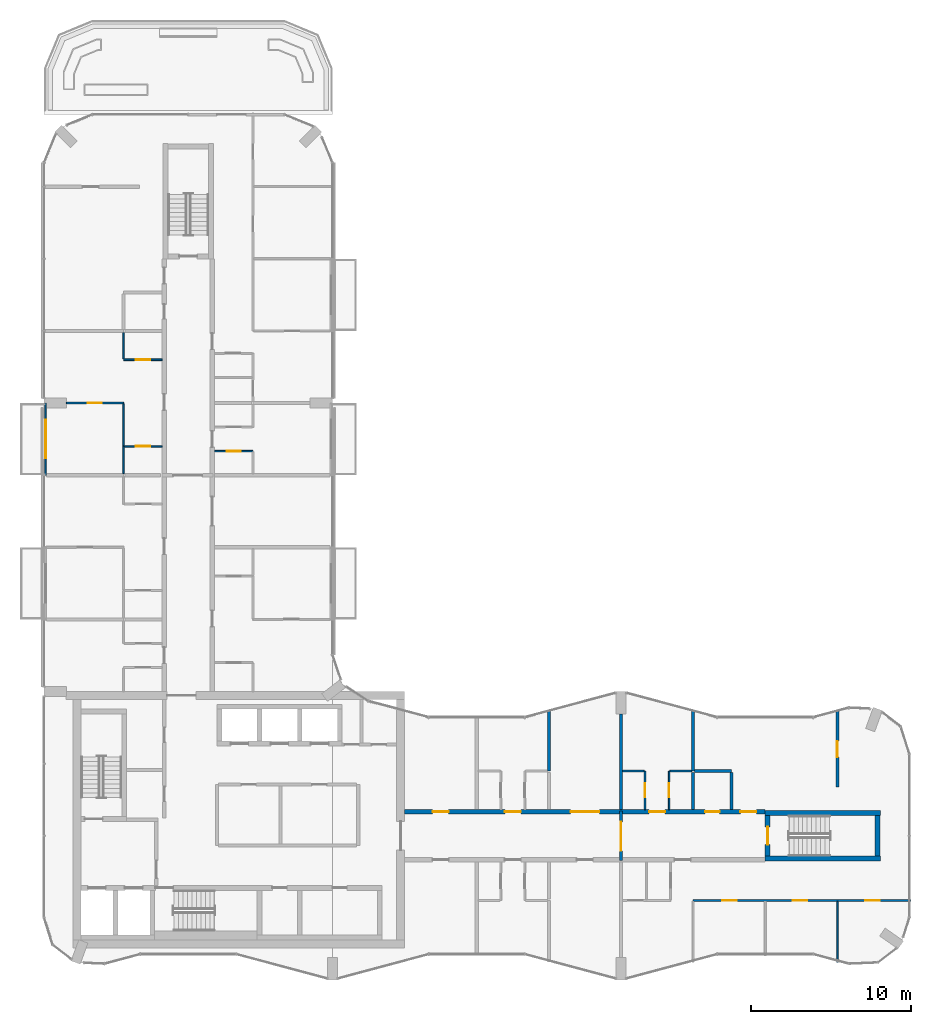
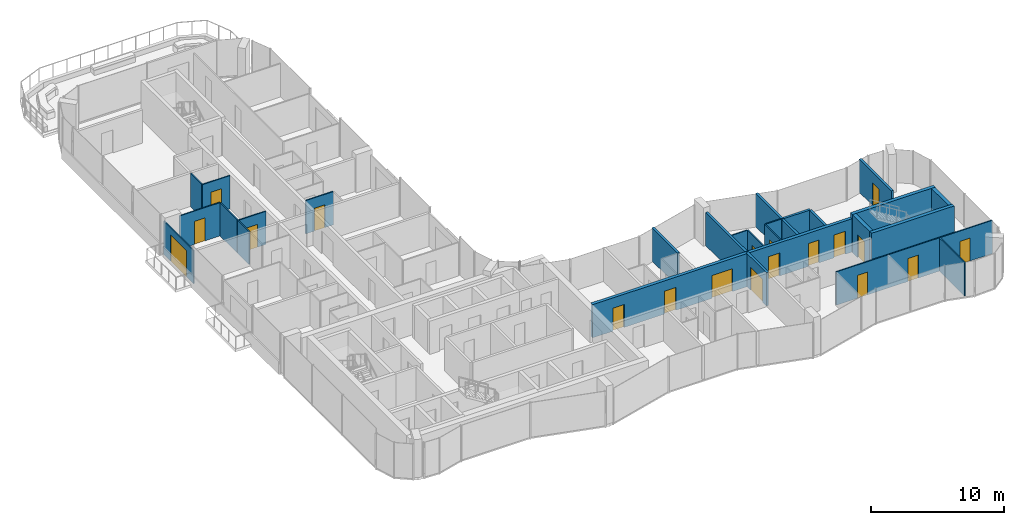
# One storey, part 12 of 17: 27 walls, 19 doors, 19 openings.
"""IFC4 building model written with IfcOpenShell, lengths in metres."""

from ifc_helpers import new_model, si_unit, direction, frame, frame_2d, origin, place, context, subcontext, project, spatial, rectangle, extrude, material, layer, layer_set, type_object, element, fill, save


model = new_model("IFC4")

# Units and contexts
model_context = context("Model", 3, precision=1e-05, world=origin(), true_north=direction((0.0, 1.0)))
body_context = subcontext(model_context, "Body", "Model", "MODEL_VIEW")
ifc_project = project(units=[si_unit("LENGTHUNIT", "METRE"), si_unit("AREAUNIT", "SQUARE_METRE"), si_unit("VOLUMEUNIT", "CUBIC_METRE"), si_unit("PLANEANGLEUNIT", "RADIAN"), si_unit("MASSUNIT", "GRAM", prefix="KILO")], contexts=[model_context])

# Site, building, storey
site_placement = place(None, origin())
site = spatial("IfcSite", under=ifc_project, at=site_placement, CompositionType="ELEMENT")
building_placement = place(site_placement, origin())
building = spatial("IfcBuilding", under=site, at=building_placement, Name="Plateau Cross Towers", CompositionType="ELEMENT")
storey_placement = place(building_placement, frame((0.0, 0.0, 225.89990234375)))
storey = spatial("IfcBuildingStorey", under=building, at=storey_placement, Name="L59", CompositionType="ELEMENT", Elevation=225.89990234375)

# Wall, opening, door
ifc_material_1 = material(Name="Aluminium framed glazing", Category="aluminium")
ifc_layer_1 = layer(ifc_material_1, 0.10009765625)
ifc_layer_set_1 = layer_set([ifc_layer_1], Name="Aluminium framed glazing")
wall_type_1 = type_object("IfcWallType", Name="Balcony screen wall 100", PredefinedType="STANDARD", material=ifc_layer_set_1)
wall_1_placement = place(storey_placement, frame((0.10009765625, 31.5, 0.0), z_axis=(0.0, 0.0, 1.0), x_axis=(0.0, 1.0, 0.0)))
wall_1 = element("IfcWall", 1, at=wall_1_placement, inside=storey, type_object=wall_type_1, Name="Balcony screen wall A-BAL-L59-02", PredefinedType="STANDARD", context=body_context, shape_type="SweptSolid", body=[
    extrude(rectangle(XDim=4.5, YDim=0.10009765625, at=frame_2d((2.25, 0.0))), origin(), (0.0, 0.0, 1.0), 3.050048828125),
])
opening_1_placement = place(wall_1_placement, frame((1.050048828125, 0.0, 0.0)))
opening_1 = element("IfcOpeningElement", 2, at=opening_1_placement, cuts=wall_1, Name="Opening D-B24", PredefinedType="OPENING", context=body_context, shape_type="SweptSolid", body=[
    extrude(rectangle(XDim=2.39990234375, YDim=2.39990234375, at=frame_2d((1.199951171875, 1.199951171875))), frame((0.0, 0.06005859375, 0.0), z_axis=(0.0, -1.0, 0.0), x_axis=(1.0, 0.0, 0.0)), (0.0, 0.0, 1.0), 0.1201171875),
])
ifc_material_2 = material(Name="Aluminium frame, double glazing", Category="aluminium")
door_type_1 = type_object("IfcDoorType", Name="Balcony sliding door 2400", OperationType="NOTDEFINED", PredefinedType="DOOR", material=ifc_material_2)
door_1_placement = place(opening_1_placement, origin())
door_1 = element("IfcDoor", 3, at=door_1_placement, inside=storey, type_object=door_type_1, Name="Balcony door A-BAL-L59-02", OperationType="SINGLE_SWING_LEFT", OverallHeight=2.39990234375, OverallWidth=2.39990234375, PredefinedType="DOOR", context=body_context, shape_type="SweptSolid", body=[
    extrude(rectangle(XDim=2.39990234375, YDim=2.39990234375, at=frame_2d((1.199951171875, 1.199951171875))), frame((0.0, 0.02490234375, 0.0), z_axis=(0.0, -1.0, 0.0), x_axis=(1.0, 0.0, 0.0)), (0.0, 0.0, 1.0), 0.050048828125),
])
fill(opening_1, door_1)

# Wall, openings, doors
ifc_material_3 = material(Name="Concrete C60/75", Category="concrete")
ifc_layer_2 = layer(ifc_material_3, 0.27490234375)
ifc_layer_set_2 = layer_set([ifc_layer_2], Name="Concrete C60/75")
wall_type_2 = type_object("IfcWallType", Name="Corridor wall 275", PredefinedType="SHEAR", material=ifc_layer_set_2)
wall_2_placement = place(storey_placement, frame((22.5, 10.5, 0.0), z_axis=(0.0, 0.0, 1.0), x_axis=(1.0, 0.0, 0.0)))
wall_2 = element("IfcWall", 4, at=wall_2_placement, inside=storey, type_object=wall_type_2, Name="A-cw-S2@L59", PredefinedType="SHEAR", context=body_context, shape_type="SweptSolid", body=[
    extrude(rectangle(XDim=22.5, YDim=0.27490234375, at=frame_2d((11.25, 0.0))), origin(), (0.0, 0.0, 1.0), 3.050048828125),
])
opening_2_placement = place(wall_2_placement, frame((1.75, 0.0, 0.0)))
opening_2 = element("IfcOpeningElement", 5, at=opening_2_placement, cuts=wall_2, Name="Opening 59-05", PredefinedType="OPENING", context=body_context, shape_type="SweptSolid", body=[
    extrude(rectangle(XDim=1.0, YDim=2.10009765625, at=frame_2d((0.5, 1.050048828125))), frame((0.0, 0.1474609375, 0.0), z_axis=(0.0, -1.0, 0.0), x_axis=(1.0, 0.0, 0.0)), (0.0, 0.0, 1.0), 0.294921875),
])
opening_3_placement = place(wall_2_placement, frame((6.25, 0.0, 0.0)))
opening_3 = element("IfcOpeningElement", 6, at=opening_3_placement, cuts=wall_2, Name="Opening 59-06", PredefinedType="OPENING", context=body_context, shape_type="SweptSolid", body=[
    extrude(rectangle(XDim=1.0, YDim=2.10009765625, at=frame_2d((0.5, 1.050048828125))), frame((0.0, 0.1474609375, 0.0), z_axis=(0.0, -1.0, 0.0), x_axis=(1.0, 0.0, 0.0)), (0.0, 0.0, 1.0), 0.294921875),
])
opening_4_placement = place(wall_2_placement, frame((10.35009765625, 0.0, 0.0)))
opening_4 = element("IfcOpeningElement", 7, at=opening_4_placement, cuts=wall_2, Name="Opening 59-07", PredefinedType="OPENING", context=body_context, shape_type="SweptSolid", body=[
    extrude(rectangle(XDim=1.800048828125, YDim=2.10009765625, at=frame_2d((0.89990234375, 1.050048828125))), frame((0.0, 0.1474609375, 0.0), z_axis=(0.0, -1.0, 0.0), x_axis=(1.0, 0.0, 0.0)), (0.0, 0.0, 1.0), 0.294921875),
])
opening_5_placement = place(wall_2_placement, frame((15.25, 0.0, 0.0)))
opening_5 = element("IfcOpeningElement", 8, at=opening_5_placement, cuts=wall_2, Name="Opening 59-08", PredefinedType="OPENING", context=body_context, shape_type="SweptSolid", body=[
    extrude(rectangle(XDim=1.0, YDim=2.10009765625, at=frame_2d((0.5, 1.050048828125))), frame((0.0, 0.1474609375, 0.0), z_axis=(0.0, -1.0, 0.0), x_axis=(1.0, 0.0, 0.0)), (0.0, 0.0, 1.0), 0.294921875),
])
opening_6_placement = place(wall_2_placement, frame((18.75, 0.0, 0.0)))
opening_6 = element("IfcOpeningElement", 9, at=opening_6_placement, cuts=wall_2, Name="Opening 59-09", PredefinedType="OPENING", context=body_context, shape_type="SweptSolid", body=[
    extrude(rectangle(XDim=0.89990234375, YDim=2.10009765625, at=frame_2d((0.449951171875, 1.050048828125))), frame((0.0, 0.1474609375, 0.0), z_axis=(0.0, -1.0, 0.0), x_axis=(1.0, 0.0, 0.0)), (0.0, 0.0, 1.0), 0.294921875),
])
opening_7_placement = place(wall_2_placement, frame((20.949951171875, 0.0, 0.0)))
opening_7 = element("IfcOpeningElement", 10, at=opening_7_placement, cuts=wall_2, Name="Opening 59-10", PredefinedType="OPENING", context=body_context, shape_type="SweptSolid", body=[
    extrude(rectangle(XDim=1.0, YDim=2.10009765625, at=frame_2d((0.5, 1.050048828125))), frame((0.0, 0.1474609375, 0.0), z_axis=(0.0, -1.0, 0.0), x_axis=(1.0, 0.0, 0.0)), (0.0, 0.0, 1.0), 0.294921875),
])
ifc_material_4 = material(Name="Timber, fire-resisting leaf", Category="wood")
door_type_2 = type_object("IfcDoorType", Name="Flat entrance door 1000", OperationType="NOTDEFINED", PredefinedType="DOOR", material=ifc_material_4)
door_2_placement = place(opening_2_placement, origin())
door_2 = element("IfcDoor", 11, at=door_2_placement, inside=storey, type_object=door_type_2, Name="Door 59-05", OperationType="SINGLE_SWING_LEFT", OverallHeight=2.10009765625, OverallWidth=1.0, PredefinedType="DOOR", context=body_context, shape_type="SweptSolid", body=[
    extrude(rectangle(XDim=1.0, YDim=2.10009765625, at=frame_2d((0.5, 1.050048828125))), frame((0.0, 0.02490234375, 0.0), z_axis=(0.0, -1.0, 0.0), x_axis=(1.0, 0.0, 0.0)), (0.0, 0.0, 1.0), 0.050048828125),
])
fill(opening_2, door_2)
door_3_placement = place(opening_3_placement, origin())
door_3 = element("IfcDoor", 12, at=door_3_placement, inside=storey, type_object=door_type_2, Name="Door 59-06", OperationType="SINGLE_SWING_LEFT", OverallHeight=2.10009765625, OverallWidth=1.0, PredefinedType="DOOR", context=body_context, shape_type="SweptSolid", body=[
    extrude(rectangle(XDim=1.0, YDim=2.10009765625, at=frame_2d((0.5, 1.050048828125))), frame((0.0, 0.02490234375, 0.0), z_axis=(0.0, -1.0, 0.0), x_axis=(1.0, 0.0, 0.0)), (0.0, 0.0, 1.0), 0.050048828125),
])
fill(opening_3, door_3)
door_4_placement = place(opening_5_placement, origin())
door_4 = element("IfcDoor", 13, at=door_4_placement, inside=storey, type_object=door_type_2, Name="Door 59-08", OperationType="SINGLE_SWING_RIGHT", OverallHeight=2.10009765625, OverallWidth=1.0, PredefinedType="DOOR", context=body_context, shape_type="SweptSolid", body=[
    extrude(rectangle(XDim=1.0, YDim=2.10009765625, at=frame_2d((0.5, 1.050048828125))), frame((0.0, 0.02490234375, 0.0), z_axis=(0.0, -1.0, 0.0), x_axis=(1.0, 0.0, 0.0)), (0.0, 0.0, 1.0), 0.050048828125),
])
fill(opening_5, door_4)
door_5_placement = place(opening_7_placement, origin())
door_5 = element("IfcDoor", 14, at=door_5_placement, inside=storey, type_object=door_type_2, Name="Door 59-10", OperationType="SINGLE_SWING_RIGHT", OverallHeight=2.10009765625, OverallWidth=1.0, PredefinedType="DOOR", context=body_context, shape_type="SweptSolid", body=[
    extrude(rectangle(XDim=1.0, YDim=2.10009765625, at=frame_2d((0.5, 1.050048828125))), frame((0.0, 0.02490234375, 0.0), z_axis=(0.0, -1.0, 0.0), x_axis=(1.0, 0.0, 0.0)), (0.0, 0.0, 1.0), 0.050048828125),
])
fill(opening_7, door_5)
ifc_material_5 = material(Name="Timber, fire-resisting leaves", Category="wood")
door_type_3 = type_object("IfcDoorType", Name="Flat floor fire door pair 1800", OperationType="NOTDEFINED", PredefinedType="DOOR", material=ifc_material_5)
door_6_placement = place(opening_4_placement, origin())
door_6 = element("IfcDoor", 15, at=door_6_placement, inside=storey, type_object=door_type_3, Name="Door 59-07", OperationType="SINGLE_SWING_LEFT", OverallHeight=2.10009765625, OverallWidth=1.800048828125, PredefinedType="DOOR", context=body_context, shape_type="SweptSolid", body=[
    extrude(rectangle(XDim=1.800048828125, YDim=2.10009765625, at=frame_2d((0.89990234375, 1.050048828125))), frame((0.0, 0.02490234375, 0.0), z_axis=(0.0, -1.0, 0.0), x_axis=(1.0, 0.0, 0.0)), (0.0, 0.0, 1.0), 0.050048828125),
])
fill(opening_4, door_6)
door_type_4 = type_object("IfcDoorType", Name="Flat floor service door 900", OperationType="NOTDEFINED", PredefinedType="DOOR", material=ifc_material_4)
door_7_placement = place(opening_6_placement, origin())
door_7 = element("IfcDoor", 16, at=door_7_placement, inside=storey, type_object=door_type_4, Name="Door 59-09", OperationType="SINGLE_SWING_RIGHT", OverallHeight=2.10009765625, OverallWidth=0.89990234375, PredefinedType="DOOR", context=body_context, shape_type="SweptSolid", body=[
    extrude(rectangle(XDim=0.89990234375, YDim=2.10009765625, at=frame_2d((0.449951171875, 1.050048828125))), frame((0.0, 0.02490234375, 0.0), z_axis=(0.0, -1.0, 0.0), x_axis=(1.0, 0.0, 0.0)), (0.0, 0.0, 1.0), 0.050048828125),
])
fill(opening_6, door_7)

ifc_material_6 = material(Name="Gypsum board on steel studs", Category="steel")
ifc_layer_3 = layer(ifc_material_6, 0.10009765625)
ifc_layer_set_3 = layer_set([ifc_layer_3], Name="Gypsum board on steel studs")
wall_type_3 = type_object("IfcWallType", Name="Flat partition 100", PredefinedType="PARTITIONING", material=ifc_layer_set_3)
wall_3_placement = place(storey_placement, frame((54.080078125, 4.96240234375, 0.0), z_axis=(0.0, 0.0, 1.0), x_axis=(-1.0, 0.0, 0.0)))
wall_3 = element("IfcWall", 17, at=wall_3_placement, inside=storey, type_object=wall_type_3, Name="Partition wall", PredefinedType="PARTITIONING", context=body_context, shape_type="SweptSolid", body=[
    extrude(rectangle(XDim=13.580078125, YDim=0.10009765625, at=frame_2d((6.7900390625, 0.0))), origin(), (0.0, 0.0, 1.0), 3.050048828125),
])
opening_8_placement = place(wall_3_placement, frame((10.85009765625, 0.0, 0.0)))
opening_8 = element("IfcOpeningElement", 18, at=opening_8_placement, cuts=wall_3, Name="Opening 59-28", PredefinedType="OPENING", context=body_context, shape_type="SweptSolid", body=[
    extrude(rectangle(XDim=0.89990234375, YDim=2.10009765625, at=frame_2d((0.449951171875, 1.050048828125))), frame((0.0, 0.06005859375, 0.0), z_axis=(0.0, -1.0, 0.0), x_axis=(1.0, 0.0, 0.0)), (0.0, 0.0, 1.0), 0.1201171875),
])
opening_9_placement = place(wall_3_placement, frame((6.449951171875, 0.0, 0.0)))
opening_9 = element("IfcOpeningElement", 19, at=opening_9_placement, cuts=wall_3, Name="Opening 59-29", PredefinedType="OPENING", context=body_context, shape_type="SweptSolid", body=[
    extrude(rectangle(XDim=0.89990234375, YDim=2.10009765625, at=frame_2d((0.449951171875, 1.050048828125))), frame((0.0, 0.06005859375, 0.0), z_axis=(0.0, -1.0, 0.0), x_axis=(1.0, 0.0, 0.0)), (0.0, 0.0, 1.0), 0.1201171875),
])
opening_10_placement = place(wall_3_placement, frame((1.949951171875, 0.0, 0.0)))
opening_10 = element("IfcOpeningElement", 20, at=opening_10_placement, cuts=wall_3, Name="Opening 59-30", PredefinedType="OPENING", context=body_context, shape_type="SweptSolid", body=[
    extrude(rectangle(XDim=0.89990234375, YDim=2.10009765625, at=frame_2d((0.449951171875, 1.050048828125))), frame((0.0, 0.06005859375, 0.0), z_axis=(0.0, -1.0, 0.0), x_axis=(1.0, 0.0, 0.0)), (0.0, 0.0, 1.0), 0.1201171875),
])
ifc_material_7 = material(Name="Timber leaf", Category="wood")
door_type_5 = type_object("IfcDoorType", Name="Flat room door 900", OperationType="NOTDEFINED", PredefinedType="DOOR", material=ifc_material_7)
door_8_placement = place(opening_8_placement, origin())
door_8 = element("IfcDoor", 21, at=door_8_placement, inside=storey, type_object=door_type_5, Name="Door 59-28", OperationType="SINGLE_SWING_RIGHT", OverallHeight=2.10009765625, OverallWidth=0.89990234375, PredefinedType="DOOR", context=body_context, shape_type="SweptSolid", body=[
    extrude(rectangle(XDim=0.89990234375, YDim=2.10009765625, at=frame_2d((0.449951171875, 1.050048828125))), frame((0.0, 0.02490234375, 0.0), z_axis=(0.0, -1.0, 0.0), x_axis=(1.0, 0.0, 0.0)), (0.0, 0.0, 1.0), 0.050048828125),
])
fill(opening_8, door_8)
door_9_placement = place(opening_9_placement, origin())
door_9 = element("IfcDoor", 22, at=door_9_placement, inside=storey, type_object=door_type_5, Name="Door 59-29", OperationType="SINGLE_SWING_RIGHT", OverallHeight=2.10009765625, OverallWidth=0.89990234375, PredefinedType="DOOR", context=body_context, shape_type="SweptSolid", body=[
    extrude(rectangle(XDim=0.89990234375, YDim=2.10009765625, at=frame_2d((0.449951171875, 1.050048828125))), frame((0.0, 0.02490234375, 0.0), z_axis=(0.0, -1.0, 0.0), x_axis=(1.0, 0.0, 0.0)), (0.0, 0.0, 1.0), 0.050048828125),
])
fill(opening_9, door_9)
door_10_placement = place(opening_10_placement, origin())
door_10 = element("IfcDoor", 23, at=door_10_placement, inside=storey, type_object=door_type_5, Name="Door 59-30", OperationType="SINGLE_SWING_LEFT", OverallHeight=2.10009765625, OverallWidth=0.89990234375, PredefinedType="DOOR", context=body_context, shape_type="SweptSolid", body=[
    extrude(rectangle(XDim=0.89990234375, YDim=2.10009765625, at=frame_2d((0.449951171875, 1.050048828125))), frame((0.0, 0.02490234375, 0.0), z_axis=(0.0, -1.0, 0.0), x_axis=(1.0, 0.0, 0.0)), (0.0, 0.0, 1.0), 0.050048828125),
])
fill(opening_10, door_10)

# Walls
for number, where, z_axis, x_axis, name in (
    (24, (37.449951171875, 13.03759765625, 0.0), (0.0, 0.0, 1.0), (-1.0, 0.0, 0.0), "Partition wall"),
    (25, (40.39990234375, 13.03759765625, 0.0), (0.0, 0.0, 1.0), (-1.0, 0.0, 0.0), "Partition wall"),
):
    element("IfcWall", number, at=place(storey_placement, frame(where, z_axis=z_axis, x_axis=x_axis)), inside=storey, type_object=wall_type_3, Name=name, PredefinedType="PARTITIONING", context=body_context, shape_type="SweptSolid", body=[
        extrude(rectangle(XDim=1.349853515625, YDim=0.10009765625, at=frame_2d((0.6748046875, 0.0))), origin(), (0.0, 0.0, 1.0), 3.050048828125),
    ])

# Wall, opening, door
wall_4_placement = place(storey_placement, frame((13.03759765625, 33.0, 0.0), z_axis=(0.0, 0.0, 1.0), x_axis=(-1.0, 0.0, 0.0)))
wall_4 = element("IfcWall", 26, at=wall_4_placement, inside=storey, type_object=wall_type_3, Name="Partition wall", PredefinedType="PARTITIONING", context=body_context, shape_type="SweptSolid", body=[
    extrude(rectangle(XDim=2.400146484375, YDim=0.10009765625, at=frame_2d((1.2001953125, 0.0))), origin(), (0.0, 0.0, 1.0), 3.050048828125),
])
opening_11_placement = place(wall_4_placement, frame((0.75, 0.0, 0.0)))
opening_11 = element("IfcOpeningElement", 27, at=opening_11_placement, cuts=wall_4, Name="Opening 59-46", PredefinedType="OPENING", context=body_context, shape_type="SweptSolid", body=[
    extrude(rectangle(XDim=0.89990234375, YDim=2.10009765625, at=frame_2d((0.449951171875, 1.050048828125))), frame((0.0, 0.06005859375, 0.0), z_axis=(0.0, -1.0, 0.0), x_axis=(1.0, 0.0, 0.0)), (0.0, 0.0, 1.0), 0.1201171875),
])
door_11_placement = place(opening_11_placement, origin())
door_11 = element("IfcDoor", 28, at=door_11_placement, inside=storey, type_object=door_type_5, Name="Door 59-46", OperationType="SINGLE_SWING_LEFT", OverallHeight=2.10009765625, OverallWidth=0.89990234375, PredefinedType="DOOR", context=body_context, shape_type="SweptSolid", body=[
    extrude(rectangle(XDim=0.89990234375, YDim=2.10009765625, at=frame_2d((0.449951171875, 1.050048828125))), frame((0.0, 0.02490234375, 0.0), z_axis=(0.0, -1.0, 0.0), x_axis=(1.0, 0.0, 0.0)), (0.0, 0.0, 1.0), 0.050048828125),
])
fill(opening_11, door_11)

wall_5_placement = place(storey_placement, frame((7.362548828125, 33.300048828125, 0.0), z_axis=(0.0, 0.0, 1.0), x_axis=(-1.0, 0.0, 0.0)))
wall_5 = element("IfcWall", 29, at=wall_5_placement, inside=storey, type_object=wall_type_3, Name="Partition wall", PredefinedType="PARTITIONING", context=body_context, shape_type="SweptSolid", body=[
    extrude(rectangle(XDim=2.35009765625, YDim=0.10009765625, at=frame_2d((1.175048828125, 0.0))), origin(), (0.0, 0.0, 1.0), 3.050048828125),
])
opening_12_placement = place(wall_5_placement, frame((0.75, 0.0, 0.0)))
opening_12 = element("IfcOpeningElement", 30, at=opening_12_placement, cuts=wall_5, Name="Opening 59-40", PredefinedType="OPENING", context=body_context, shape_type="SweptSolid", body=[
    extrude(rectangle(XDim=0.89990234375, YDim=2.10009765625, at=frame_2d((0.449951171875, 1.050048828125))), frame((0.0, 0.06005859375, 0.0), z_axis=(0.0, -1.0, 0.0), x_axis=(1.0, 0.0, 0.0)), (0.0, 0.0, 1.0), 0.1201171875),
])
door_12_placement = place(opening_12_placement, origin())
door_12 = element("IfcDoor", 31, at=door_12_placement, inside=storey, type_object=door_type_5, Name="Door 59-40", OperationType="SINGLE_SWING_RIGHT", OverallHeight=2.10009765625, OverallWidth=0.89990234375, PredefinedType="DOOR", context=body_context, shape_type="SweptSolid", body=[
    extrude(rectangle(XDim=0.89990234375, YDim=2.10009765625, at=frame_2d((0.449951171875, 1.050048828125))), frame((0.0, 0.02490234375, 0.0), z_axis=(0.0, -1.0, 0.0), x_axis=(1.0, 0.0, 0.0)), (0.0, 0.0, 1.0), 0.050048828125),
])
fill(opening_12, door_12)

wall_6_placement = place(storey_placement, frame((4.96240234375, 36.0, 0.0), z_axis=(0.0, 0.0, 1.0), x_axis=(-1.0, 0.0, 0.0)))
wall_6 = element("IfcWall", 32, at=wall_6_placement, inside=storey, type_object=wall_type_3, Name="Partition wall", PredefinedType="PARTITIONING", context=body_context, shape_type="SweptSolid", body=[
    extrude(rectangle(XDim=3.5625, YDim=0.10009765625, at=frame_2d((1.78125, 0.0))), origin(), (0.0, 0.0, 1.0), 3.050048828125),
])
opening_13_placement = place(wall_6_placement, frame((1.35009765625, 0.0, 0.0)))
opening_13 = element("IfcOpeningElement", 33, at=opening_13_placement, cuts=wall_6, Name="Opening 59-42", PredefinedType="OPENING", context=body_context, shape_type="SweptSolid", body=[
    extrude(rectangle(XDim=0.89990234375, YDim=2.10009765625, at=frame_2d((0.449951171875, 1.050048828125))), frame((0.0, 0.06005859375, 0.0), z_axis=(0.0, -1.0, 0.0), x_axis=(1.0, 0.0, 0.0)), (0.0, 0.0, 1.0), 0.1201171875),
])
door_13_placement = place(opening_13_placement, origin())
door_13 = element("IfcDoor", 34, at=door_13_placement, inside=storey, type_object=door_type_5, Name="Door 59-42", OperationType="SINGLE_SWING_RIGHT", OverallHeight=2.10009765625, OverallWidth=0.89990234375, PredefinedType="DOOR", context=body_context, shape_type="SweptSolid", body=[
    extrude(rectangle(XDim=0.89990234375, YDim=2.10009765625, at=frame_2d((0.449951171875, 1.050048828125))), frame((0.0, 0.02490234375, 0.0), z_axis=(0.0, -1.0, 0.0), x_axis=(1.0, 0.0, 0.0)), (0.0, 0.0, 1.0), 0.050048828125),
])
fill(opening_13, door_13)

wall_7_placement = place(storey_placement, frame((4.96240234375, 38.699951171875, 0.0), z_axis=(0.0, 0.0, 1.0), x_axis=(1.0, 0.0, 0.0)))
wall_7 = element("IfcWall", 35, at=wall_7_placement, inside=storey, type_object=wall_type_3, Name="Partition wall", PredefinedType="PARTITIONING", context=body_context, shape_type="SweptSolid", body=[
    extrude(rectangle(XDim=2.400146484375, YDim=0.10009765625, at=frame_2d((1.2001953125, 0.0))), origin(), (0.0, 0.0, 1.0), 3.050048828125),
])
opening_14_placement = place(wall_7_placement, frame((0.75, 0.0, 0.0)))
opening_14 = element("IfcOpeningElement", 36, at=opening_14_placement, cuts=wall_7, Name="Opening 59-41", PredefinedType="OPENING", context=body_context, shape_type="SweptSolid", body=[
    extrude(rectangle(XDim=0.89990234375, YDim=2.10009765625, at=frame_2d((0.449951171875, 1.050048828125))), frame((0.0, 0.06005859375, 0.0), z_axis=(0.0, -1.0, 0.0), x_axis=(1.0, 0.0, 0.0)), (0.0, 0.0, 1.0), 0.1201171875),
])
door_14_placement = place(opening_14_placement, origin())
door_14 = element("IfcDoor", 37, at=door_14_placement, inside=storey, type_object=door_type_5, Name="Door 59-41", OperationType="SINGLE_SWING_RIGHT", OverallHeight=2.10009765625, OverallWidth=0.89990234375, PredefinedType="DOOR", context=body_context, shape_type="SweptSolid", body=[
    extrude(rectangle(XDim=0.89990234375, YDim=2.10009765625, at=frame_2d((0.449951171875, 1.050048828125))), frame((0.0, 0.02490234375, 0.0), z_axis=(0.0, -1.0, 0.0), x_axis=(1.0, 0.0, 0.0)), (0.0, 0.0, 1.0), 0.050048828125),
])
fill(opening_14, door_14)

# Walls
wall_8_placement = place(storey_placement, frame((4.96240234375, 33.300048828125, 0.0), z_axis=(0.0, 0.0, 1.0), x_axis=(0.0, -1.0, 0.0)))
element("IfcWall", 38, at=wall_8_placement, inside=storey, type_object=wall_type_3, Name="Partition wall", PredefinedType="PARTITIONING", context=body_context, shape_type="SweptSolid", body=[
    extrude(rectangle(XDim=1.699951171875, YDim=0.10009765625, at=frame_2d((0.85009765625, 0.0))), origin(), (0.0, 0.0, 1.0), 3.050048828125),
])
wall_9_placement = place(storey_placement, frame((4.96240234375, 40.39990234375, 0.0), z_axis=(0.0, 0.0, 1.0), x_axis=(0.0, -1.0, 0.0)))
element("IfcWall", 39, at=wall_9_placement, inside=storey, type_object=wall_type_3, Name="Partition wall", PredefinedType="PARTITIONING", context=body_context, shape_type="SweptSolid", body=[
    extrude(rectangle(XDim=1.64990234375, YDim=0.10009765625, at=frame_2d((0.824951171875, 0.0))), origin(), (0.0, 0.0, 1.0), 3.050048828125),
])
wall_10_placement = place(storey_placement, frame((4.96240234375, 33.35009765625, 0.0), z_axis=(0.0, 0.0, 1.0), x_axis=(0.0, 1.0, 0.0)))
element("IfcWall", 40, at=wall_10_placement, inside=storey, type_object=wall_type_3, Name="Partition wall", PredefinedType="PARTITIONING", context=body_context, shape_type="SweptSolid", body=[
    extrude(rectangle(XDim=2.599853515625, YDim=0.10009765625, at=frame_2d((1.2998046875, 0.0))), origin(), (0.0, 0.0, 1.0), 3.050048828125),
])

# Wall, opening, door
wall_11_placement = place(storey_placement, frame((37.5, 10.637451171875, 0.0), z_axis=(0.0, 0.0, 1.0), x_axis=(0.0, 1.0, 0.0)))
wall_11 = element("IfcWall", 41, at=wall_11_placement, inside=storey, type_object=wall_type_3, Name="Partition wall", PredefinedType="PARTITIONING", context=body_context, shape_type="SweptSolid", body=[
    extrude(rectangle(XDim=2.400146484375, YDim=0.10009765625, at=frame_2d((1.2001953125, 0.0))), origin(), (0.0, 0.0, 1.0), 3.050048828125),
])
opening_15_placement = place(wall_11_placement, frame((0.75, 0.0, 0.0)))
opening_15 = element("IfcOpeningElement", 42, at=opening_15_placement, cuts=wall_11, Name="Opening 59-33", PredefinedType="OPENING", context=body_context, shape_type="SweptSolid", body=[
    extrude(rectangle(XDim=0.89990234375, YDim=2.10009765625, at=frame_2d((0.449951171875, 1.050048828125))), frame((0.0, 0.06005859375, 0.0), z_axis=(0.0, -1.0, 0.0), x_axis=(1.0, 0.0, 0.0)), (0.0, 0.0, 1.0), 0.1201171875),
])
door_15_placement = place(opening_15_placement, origin())
door_15 = element("IfcDoor", 43, at=door_15_placement, inside=storey, type_object=door_type_5, Name="Door 59-33", OperationType="SINGLE_SWING_LEFT", OverallHeight=2.10009765625, OverallWidth=0.89990234375, PredefinedType="DOOR", context=body_context, shape_type="SweptSolid", body=[
    extrude(rectangle(XDim=0.89990234375, YDim=2.10009765625, at=frame_2d((0.449951171875, 1.050048828125))), frame((0.0, 0.02490234375, 0.0), z_axis=(0.0, -1.0, 0.0), x_axis=(1.0, 0.0, 0.0)), (0.0, 0.0, 1.0), 0.050048828125),
])
fill(opening_15, door_15)

wall_12_placement = place(storey_placement, frame((39.0, 13.03759765625, 0.0), z_axis=(0.0, 0.0, 1.0), x_axis=(0.0, -1.0, 0.0)))
wall_12 = element("IfcWall", 44, at=wall_12_placement, inside=storey, type_object=wall_type_3, Name="Partition wall", PredefinedType="PARTITIONING", context=body_context, shape_type="SweptSolid", body=[
    extrude(rectangle(XDim=2.400146484375, YDim=0.10009765625, at=frame_2d((1.2001953125, 0.0))), origin(), (0.0, 0.0, 1.0), 3.050048828125),
])
opening_16_placement = place(wall_12_placement, frame((0.75, 0.0, 0.0)))
opening_16 = element("IfcOpeningElement", 45, at=opening_16_placement, cuts=wall_12, Name="Opening 59-34", PredefinedType="OPENING", context=body_context, shape_type="SweptSolid", body=[
    extrude(rectangle(XDim=0.89990234375, YDim=2.10009765625, at=frame_2d((0.449951171875, 1.050048828125))), frame((0.0, 0.06005859375, 0.0), z_axis=(0.0, -1.0, 0.0), x_axis=(1.0, 0.0, 0.0)), (0.0, 0.0, 1.0), 0.1201171875),
])
door_16_placement = place(opening_16_placement, origin())
door_16 = element("IfcDoor", 46, at=door_16_placement, inside=storey, type_object=door_type_5, Name="Door 59-34", OperationType="SINGLE_SWING_LEFT", OverallHeight=2.10009765625, OverallWidth=0.89990234375, PredefinedType="DOOR", context=body_context, shape_type="SweptSolid", body=[
    extrude(rectangle(XDim=0.89990234375, YDim=2.10009765625, at=frame_2d((0.449951171875, 1.050048828125))), frame((0.0, 0.02490234375, 0.0), z_axis=(0.0, -1.0, 0.0), x_axis=(1.0, 0.0, 0.0)), (0.0, 0.0, 1.0), 0.050048828125),
])
fill(opening_16, door_16)

# Walls
wall_13_placement = place(storey_placement, frame((49.5, 1.122314453125, 0.0), z_axis=(0.0, 0.0, 1.0), x_axis=(0.0, 1.0, 0.0)))
element("IfcWall", 47, at=wall_13_placement, inside=storey, type_object=wall_type_3, Name="Partition wall", PredefinedType="PARTITIONING", context=body_context, shape_type="SweptSolid", body=[
    extrude(rectangle(XDim=3.790283203125, YDim=0.10009765625, at=frame_2d((1.89501953125, 0.0))), origin(), (0.0, 0.0, 1.0), 3.050048828125),
])
ifc_material_8 = material(Name="Gypsum board on steel studs, two layers each side", Category="steel")
ifc_layer_4 = layer(ifc_material_8, 0.199951171875)
ifc_layer_set_4 = layer_set([ifc_layer_4], Name="Gypsum board on steel studs, two layers each side")
wall_type_4 = type_object("IfcWallType", Name="Flat party wall 200", PredefinedType="PARTITIONING", material=ifc_layer_set_4)
wall_14_placement = place(storey_placement, frame((42.89990234375, 13.03759765625, 0.0), z_axis=(0.0, 0.0, 1.0), x_axis=(-1.0, 0.0, 0.0)))
element("IfcWall", 48, at=wall_14_placement, inside=storey, type_object=wall_type_4, Name="Party wall", PredefinedType="PARTITIONING", context=body_context, shape_type="SweptSolid", body=[
    extrude(rectangle(XDim=2.2998046875, YDim=0.199951171875, at=frame_2d((1.14990234375, 0.0))), origin(), (0.0, 0.0, 1.0), 3.050048828125),
])
wall_15_placement = place(storey_placement, frame((31.5, 16.877685546875, 0.0), z_axis=(0.0, 0.0, 1.0), x_axis=(0.0, -1.0, 0.0)))
element("IfcWall", 49, at=wall_15_placement, inside=storey, type_object=wall_type_4, Name="Party wall", PredefinedType="PARTITIONING", context=body_context, shape_type="SweptSolid", body=[
    extrude(rectangle(XDim=3.840087890625, YDim=0.199951171875, at=frame_2d((1.919921875, 0.0))), origin(), (0.0, 0.0, 1.0), 3.050048828125),
])
wall_16_placement = place(storey_placement, frame((36.0, 10.637451171875, 0.0), z_axis=(0.0, 0.0, 1.0), x_axis=(0.0, 1.0, 0.0)))
element("IfcWall", 50, at=wall_16_placement, inside=storey, type_object=wall_type_4, Name="Party wall", PredefinedType="PARTITIONING", context=body_context, shape_type="SweptSolid", body=[
    extrude(rectangle(XDim=5.962646484375, YDim=0.199951171875, at=frame_2d((2.9814453125, 0.0))), origin(), (0.0, 0.0, 1.0), 3.050048828125),
])
wall_17_placement = place(storey_placement, frame((40.5, 16.877685546875, 0.0), z_axis=(0.0, 0.0, 1.0), x_axis=(0.0, -1.0, 0.0)))
element("IfcWall", 51, at=wall_17_placement, inside=storey, type_object=wall_type_4, Name="Party wall", PredefinedType="PARTITIONING", context=body_context, shape_type="SweptSolid", body=[
    extrude(rectangle(XDim=3.840087890625, YDim=0.199951171875, at=frame_2d((1.919921875, 0.0))), origin(), (0.0, 0.0, 1.0), 3.050048828125),
])
for number, where, z_axis, x_axis, name in (
    (52, (40.5, 10.637451171875, 0.0), (0.0, 0.0, 1.0), (0.0, 1.0, 0.0), "Party wall"),
    (53, (42.89990234375, 10.637451171875, 0.0), (0.0, 0.0, 1.0), (0.0, 1.0, 0.0), "Party wall"),
):
    element("IfcWall", number, at=place(storey_placement, frame(where, z_axis=z_axis, x_axis=x_axis)), inside=storey, type_object=wall_type_4, Name=name, PredefinedType="PARTITIONING", context=body_context, shape_type="SweptSolid", body=[
        extrude(rectangle(XDim=2.300048828125, YDim=0.199951171875, at=frame_2d((1.14990234375, 0.0))), origin(), (0.0, 0.0, 1.0), 3.050048828125),
    ])

# Wall, opening, door
wall_18_placement = place(storey_placement, frame((49.5, 12.050048828125, 0.0), z_axis=(0.0, 0.0, 1.0), x_axis=(0.0, 1.0, 0.0)))
wall_18 = element("IfcWall", 54, at=wall_18_placement, inside=storey, type_object=wall_type_4, Name="Party wall", PredefinedType="PARTITIONING", context=body_context, shape_type="SweptSolid", body=[
    extrude(rectangle(XDim=4.82763671875, YDim=0.199951171875, at=frame_2d((2.413818359375, 0.0))), origin(), (0.0, 0.0, 1.0), 3.050048828125),
])
opening_17_placement = place(wall_18_placement, frame((1.85009765625, 0.0, 0.0)))
opening_17 = element("IfcOpeningElement", 55, at=opening_17_placement, cuts=wall_18, Name="Opening 59-22", PredefinedType="OPENING", context=body_context, shape_type="SweptSolid", body=[
    extrude(rectangle(XDim=1.0, YDim=2.10009765625, at=frame_2d((0.5, 1.050048828125))), frame((0.0, 0.10986328125, 0.0), z_axis=(0.0, -1.0, 0.0), x_axis=(1.0, 0.0, 0.0)), (0.0, 0.0, 1.0), 0.219970703125),
])
door_17_placement = place(opening_17_placement, origin())
door_17 = element("IfcDoor", 56, at=door_17_placement, inside=storey, type_object=door_type_2, Name="Door 59-22", OperationType="SINGLE_SWING_LEFT", OverallHeight=2.10009765625, OverallWidth=1.0, PredefinedType="DOOR", context=body_context, shape_type="SweptSolid", body=[
    extrude(rectangle(XDim=1.0, YDim=2.10009765625, at=frame_2d((0.5, 1.050048828125))), frame((0.0, 0.02490234375, 0.0), z_axis=(0.0, -1.0, 0.0), x_axis=(1.0, 0.0, 0.0)), (0.0, 0.0, 1.0), 0.050048828125),
])
fill(opening_17, door_17)

wall_19_placement = place(storey_placement, frame((36.0, 7.46240234375, 0.0), z_axis=(0.0, 0.0, 1.0), x_axis=(0.0, 1.0, 0.0)))
wall_19 = element("IfcWall", 57, at=wall_19_placement, inside=storey, type_object=wall_type_4, Name="Party wall", PredefinedType="PARTITIONING", context=body_context, shape_type="SweptSolid", body=[
    extrude(rectangle(XDim=3.0751953125, YDim=0.199951171875, at=frame_2d((1.53759765625, 0.0))), origin(), (0.0, 0.0, 1.0), 3.050048828125),
])
opening_18_placement = place(wall_19_placement, frame((0.60009765625, 0.0, 0.0)))
opening_18 = element("IfcOpeningElement", 58, at=opening_18_placement, cuts=wall_19, Name="Opening 59-20", PredefinedType="OPENING", context=body_context, shape_type="SweptSolid", body=[
    extrude(rectangle(XDim=1.800048828125, YDim=2.10009765625, at=frame_2d((0.89990234375, 1.050048828125))), frame((0.0, 0.10986328125, 0.0), z_axis=(0.0, -1.0, 0.0), x_axis=(1.0, 0.0, 0.0)), (0.0, 0.0, 1.0), 0.219970703125),
])
door_18_placement = place(opening_18_placement, origin())
door_18 = element("IfcDoor", 59, at=door_18_placement, inside=storey, type_object=door_type_3, Name="Door 59-20", OperationType="SINGLE_SWING_LEFT", OverallHeight=2.10009765625, OverallWidth=1.800048828125, PredefinedType="DOOR", context=body_context, shape_type="SweptSolid", body=[
    extrude(rectangle(XDim=1.800048828125, YDim=2.10009765625, at=frame_2d((0.89990234375, 1.050048828125))), frame((0.0, 0.02490234375, 0.0), z_axis=(0.0, -1.0, 0.0), x_axis=(1.0, 0.0, 0.0)), (0.0, 0.0, 1.0), 0.050048828125),
])
fill(opening_18, door_18)

ifc_layer_5 = layer(ifc_material_3, 0.300048828125)
ifc_layer_set_5 = layer_set([ifc_layer_5], Name="Concrete C60/75")
wall_type_5 = type_object("IfcWallType", Name="Stair tower wall 300", PredefinedType="SHEAR", material=ifc_layer_set_5)
wall_20_placement = place(storey_placement, frame((45.14990234375, 7.72509765625, 0.0), z_axis=(0.0, 0.0, 1.0), x_axis=(0.0, 1.0, 0.0)))
wall_20 = element("IfcWall", 60, at=wall_20_placement, inside=storey, type_object=wall_type_5, Name="A-end-E-W@L59", PredefinedType="SHEAR", context=body_context, shape_type="SweptSolid", body=[
    extrude(rectangle(XDim=2.5498046875, YDim=0.300048828125, at=frame_2d((1.27490234375, 0.0))), origin(), (0.0, 0.0, 1.0), 3.5),
])
opening_19_placement = place(wall_20_placement, frame((0.72509765625, 0.0, 0.0)))
opening_19 = element("IfcOpeningElement", 61, at=opening_19_placement, cuts=wall_20, Name="Opening SD", PredefinedType="OPENING", context=body_context, shape_type="SweptSolid", body=[
    extrude(rectangle(XDim=1.10009765625, YDim=2.10009765625, at=frame_2d((0.550048828125, 1.050048828125))), frame((0.0, 0.159912109375, 0.0), z_axis=(0.0, -1.0, 0.0), x_axis=(1.0, 0.0, 0.0)), (0.0, 0.0, 1.0), 0.320068359375),
])
ifc_material_9 = material(Name="Steel, fire-resisting leaf", Category="steel")
door_type_6 = type_object("IfcDoorType", Name="Stair door 1100", OperationType="NOTDEFINED", PredefinedType="DOOR", material=ifc_material_9)
door_19_placement = place(opening_19_placement, origin())
door_19 = element("IfcDoor", 62, at=door_19_placement, inside=storey, type_object=door_type_6, Name="Stair door SD", OperationType="SINGLE_SWING_LEFT", OverallHeight=2.10009765625, OverallWidth=1.10009765625, PredefinedType="DOOR", context=body_context, shape_type="SweptSolid", body=[
    extrude(rectangle(XDim=1.10009765625, YDim=2.10009765625, at=frame_2d((0.550048828125, 1.050048828125))), frame((0.0, 0.02490234375, 0.0), z_axis=(0.0, -1.0, 0.0), x_axis=(1.0, 0.0, 0.0)), (0.0, 0.0, 1.0), 0.050048828125),
])
fill(opening_19, door_19)

# Walls
wall_21_placement = place(storey_placement, frame((52.0, 7.72509765625, 0.0), z_axis=(0.0, 0.0, 1.0), x_axis=(0.0, 1.0, 0.0)))
element("IfcWall", 63, at=wall_21_placement, inside=storey, type_object=wall_type_5, Name="A-end-E-E@L59", PredefinedType="SHEAR", context=body_context, shape_type="SweptSolid", body=[
    extrude(rectangle(XDim=2.5498046875, YDim=0.300048828125, at=frame_2d((1.27490234375, 0.0))), origin(), (0.0, 0.0, 1.0), 3.5),
])
for number, where, z_axis, x_axis, name in (
    (64, (45.0, 7.574951171875, 0.0), (0.0, 0.0, 1.0), (1.0, 0.0, 0.0), "A-end-E-S@L59"),
    (65, (45.0, 10.425048828125, 0.0), (0.0, 0.0, 1.0), (1.0, 0.0, 0.0), "A-end-E-N@L59"),
):
    element("IfcWall", number, at=place(storey_placement, frame(where, z_axis=z_axis, x_axis=x_axis)), inside=storey, type_object=wall_type_5, Name=name, PredefinedType="SHEAR", context=body_context, shape_type="SweptSolid", body=[
        extrude(rectangle(XDim=7.199951171875, YDim=0.300048828125, at=frame_2d((3.60009765625, 0.0))), origin(), (0.0, 0.0, 1.0), 3.5),
    ])

save(model, "model.ifc")
